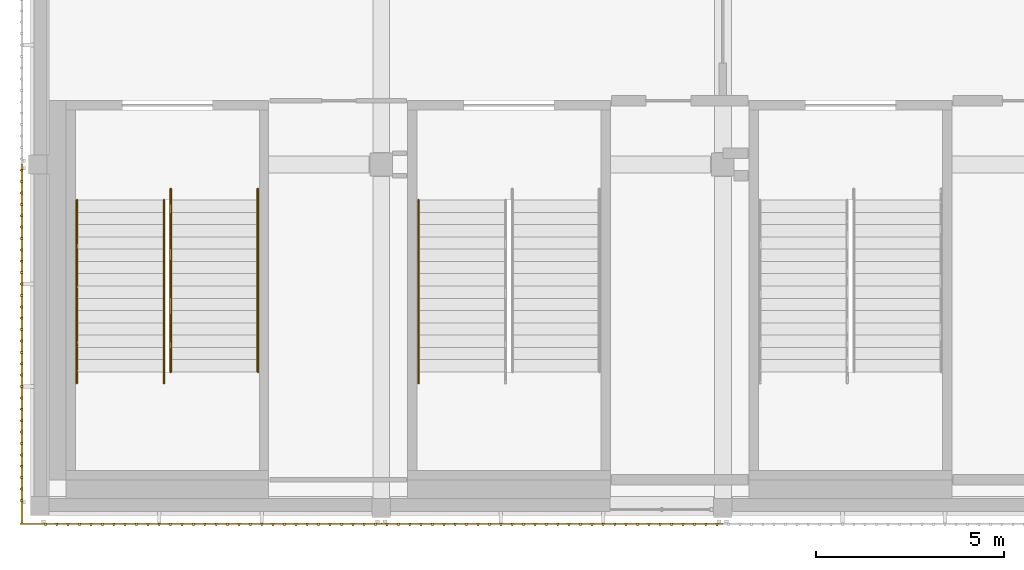
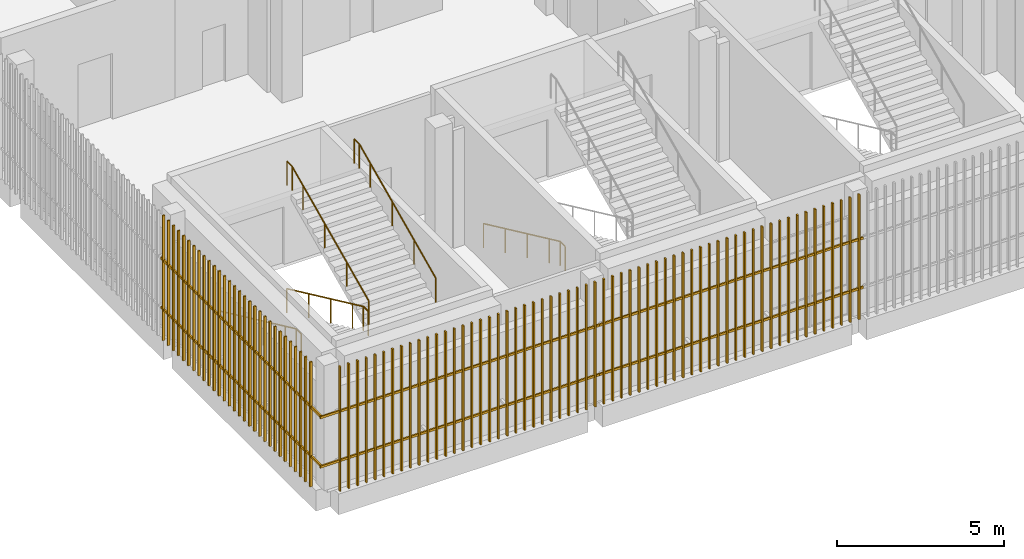
# One storey, part 113 of 139: 5 railings, 3 shading devices.
"""IFC4 building model written with IfcOpenShell, lengths in metres."""

from ifc_helpers import new_model, si_unit, direction, frame, origin, origin_2d, place, context, subcontext, project, spatial, rectangle, circle, extrude, material, type_object, element, save


model = new_model("IFC4")

# Units and contexts
model_context = context("Model", 3, precision=1e-05, world=origin(), true_north=direction((0.0, 1.0)))
body_context = subcontext(model_context, "Body", "Model", "MODEL_VIEW")
ifc_project = project(units=[si_unit("LENGTHUNIT", "METRE"), si_unit("AREAUNIT", "SQUARE_METRE"), si_unit("VOLUMEUNIT", "CUBIC_METRE"), si_unit("PLANEANGLEUNIT", "RADIAN"), si_unit("MASSUNIT", "GRAM", prefix="KILO")], contexts=[model_context])

# Site, building, storey
site_placement = place(None, origin())
site = spatial("IfcSite", under=ifc_project, at=site_placement, CompositionType="ELEMENT")
building_placement = place(site_placement, origin())
building = spatial("IfcBuilding", under=site, at=building_placement, Name="Shirokan Park Arena", CompositionType="ELEMENT")
storey_placement = place(building_placement, frame((0.0, 0.0, 15.469970703125)))
storey = spatial("IfcBuildingStorey", under=building, at=storey_placement, Name="L03", CompositionType="ELEMENT", Elevation=15.469970703125)

# Railings
ifc_material_1 = material(Name="Stainless steel", Category="steel")
railing_type = type_object("IfcRailingType", Name="Stair handrail 900", PredefinedType="HANDRAIL", material=ifc_material_1)
railing_1_placement = place(storey_placement, frame((0.989990234375, 8.14990234375, 0.151611328125)))
element("IfcRailing", 1, at=railing_1_placement, inside=storey, type_object=railing_type, Name="Handrail Exit Stair 1.A L03 to L04", PredefinedType="HANDRAIL", context=body_context, shape_type="SweptSolid", body=[
    extrude(circle(Radius=0.02392578125, at=origin_2d()), frame((0.0, 0.0, 0.8759765625), z_axis=(0.0, -0.906999720516, 0.421131222998), x_axis=(1.0, 0.0, 0.0)), (0.0, 0.0, 1.0), 1.440673828125),
    extrude(circle(Radius=0.02392578125, at=origin_2d()), frame((0.0, -1.306640625, 1.482421875), z_axis=(0.0, -0.907029769225, 0.421066500378), x_axis=(1.0, 0.0, 0.0)), (0.0, 0.0, 1.0), 1.44091796875),
    extrude(circle(Radius=0.02392578125, at=origin_2d()), frame((0.0, -2.613525390625, 2.08935546875), z_axis=(0.0, -0.907029769225, 0.421066500378), x_axis=(1.0, 0.0, 0.0)), (0.0, 0.0, 1.0), 1.44091796875),
    extrude(circle(Radius=0.02392578125, at=origin_2d()), frame((0.0, -3.92041015625, 2.69580078125), z_axis=(0.0, -0.906934982928, 0.421270621741), x_axis=(1.0, 0.0, 0.0)), (0.0, 0.0, 1.0), 0.720458984375),
    extrude(circle(Radius=0.02392578125, at=origin_2d()), frame((0.0, -4.57373046875, 2.99951171875), z_axis=(0.0, -1.0, 0.0), x_axis=(1.0, 0.0, 0.0)), (0.0, 0.0, 1.0), 0.300048828125),
    extrude(circle(Radius=0.02099609375, at=origin_2d()), origin(), (0.0, 0.0, 1.0), 0.851806640625),
    extrude(circle(Radius=0.02099609375, at=origin_2d()), frame((0.0, -1.306640625, 0.606689453125)), (0.0, 0.0, 1.0), 0.851806640625),
    extrude(circle(Radius=0.02099609375, at=origin_2d()), frame((0.0, -2.613525390625, 1.21337890625)), (0.0, 0.0, 1.0), 0.851806640625),
    extrude(circle(Radius=0.02099609375, at=origin_2d()), frame((0.0, -3.92041015625, 1.820068359375)), (0.0, 0.0, 1.0), 0.851806640625),
    extrude(circle(Radius=0.02099609375, at=origin_2d()), frame((0.0, -4.57373046875, 2.12353515625)), (0.0, 0.0, 1.0), 0.851806640625),
    extrude(circle(Radius=0.02099609375, at=origin_2d()), frame((0.0, -4.873779296875, 2.12353515625)), (0.0, 0.0, 1.0), 0.851806640625),
])
railing_2_placement = place(storey_placement, frame((3.31005859375, 8.14990234375, 0.151611328125)))
element("IfcRailing", 2, at=railing_2_placement, inside=storey, type_object=railing_type, Name="Handrail Exit Stair 1.A L03 to L04", PredefinedType="HANDRAIL", context=body_context, shape_type="SweptSolid", body=[
    extrude(circle(Radius=0.02392578125, at=origin_2d()), frame((0.0, 0.0, 0.8759765625), z_axis=(0.0, -0.906999720516, 0.421131222998), x_axis=(1.0, 0.0, 0.0)), (0.0, 0.0, 1.0), 1.440673828125),
    extrude(circle(Radius=0.02392578125, at=origin_2d()), frame((0.0, -1.306640625, 1.482421875), z_axis=(0.0, -0.907029769225, 0.421066500378), x_axis=(1.0, 0.0, 0.0)), (0.0, 0.0, 1.0), 1.44091796875),
    extrude(circle(Radius=0.02392578125, at=origin_2d()), frame((0.0, -2.613525390625, 2.08935546875), z_axis=(0.0, -0.907029769225, 0.421066500378), x_axis=(1.0, 0.0, 0.0)), (0.0, 0.0, 1.0), 1.44091796875),
    extrude(circle(Radius=0.02392578125, at=origin_2d()), frame((0.0, -3.92041015625, 2.69580078125), z_axis=(0.0, -0.906934982928, 0.421270621741), x_axis=(1.0, 0.0, 0.0)), (0.0, 0.0, 1.0), 0.720458984375),
    extrude(circle(Radius=0.02392578125, at=origin_2d()), frame((0.0, -4.57373046875, 2.99951171875), z_axis=(0.0, -1.0, 0.0), x_axis=(1.0, 0.0, 0.0)), (0.0, 0.0, 1.0), 0.300048828125),
    extrude(circle(Radius=0.02099609375, at=origin_2d()), origin(), (0.0, 0.0, 1.0), 0.851806640625),
    extrude(circle(Radius=0.02099609375, at=origin_2d()), frame((0.0, -1.306640625, 0.606689453125)), (0.0, 0.0, 1.0), 0.851806640625),
    extrude(circle(Radius=0.02099609375, at=origin_2d()), frame((0.0, -2.613525390625, 1.21337890625)), (0.0, 0.0, 1.0), 0.851806640625),
    extrude(circle(Radius=0.02099609375, at=origin_2d()), frame((0.0, -3.92041015625, 1.820068359375)), (0.0, 0.0, 1.0), 0.851806640625),
    extrude(circle(Radius=0.02099609375, at=origin_2d()), frame((0.0, -4.57373046875, 2.12353515625)), (0.0, 0.0, 1.0), 0.851806640625),
    extrude(circle(Radius=0.02099609375, at=origin_2d()), frame((0.0, -4.873779296875, 2.12353515625)), (0.0, 0.0, 1.0), 0.851806640625),
])
railing_3_placement = place(storey_placement, frame((3.489990234375, 3.576171875, 2.4267578125)))
element("IfcRailing", 3, at=railing_3_placement, inside=storey, type_object=railing_type, Name="Handrail Exit Stair 1.A L03 to L04", PredefinedType="HANDRAIL", context=body_context, shape_type="SweptSolid", body=[
    extrude(circle(Radius=0.02392578125, at=origin_2d()), frame((0.0, 0.0, 0.8759765625), z_axis=(0.0, 0.907029769225, 0.421066500378), x_axis=(-1.0, 0.0, 0.0)), (0.0, 0.0, 1.0), 1.44091796875),
    extrude(circle(Radius=0.02392578125, at=origin_2d()), frame((0.0, 1.306884765625, 1.482421875), z_axis=(0.0, 0.906999720516, 0.421131222998), x_axis=(-1.0, 0.0, 0.0)), (0.0, 0.0, 1.0), 1.440673828125),
    extrude(circle(Radius=0.02392578125, at=origin_2d()), frame((0.0, 2.613525390625, 2.08935546875), z_axis=(0.0, 0.907094476872, 0.420927083981), x_axis=(-1.0, 0.0, 0.0)), (0.0, 0.0, 1.0), 1.440673828125),
    extrude(circle(Radius=0.02392578125, at=origin_2d()), frame((0.0, 3.92041015625, 2.69580078125), z_axis=(0.0, 0.906934982928, 0.421270621741), x_axis=(-1.0, 0.0, 0.0)), (0.0, 0.0, 1.0), 0.720458984375),
    extrude(circle(Radius=0.02392578125, at=origin_2d()), frame((0.0, 4.57373046875, 2.9990234375), z_axis=(0.0, 1.0, 0.0), x_axis=(-1.0, 0.0, 0.0)), (0.0, 0.0, 1.0), 0.300048828125),
    extrude(circle(Radius=0.02099609375, at=origin_2d()), origin(), (0.0, 0.0, 1.0), 0.851806640625),
    extrude(circle(Radius=0.02099609375, at=origin_2d()), frame((0.0, 1.306884765625, 0.606689453125)), (0.0, 0.0, 1.0), 0.851806640625),
    extrude(circle(Radius=0.02099609375, at=origin_2d()), frame((0.0, 2.613525390625, 1.21337890625)), (0.0, 0.0, 1.0), 0.851806640625),
    extrude(circle(Radius=0.02099609375, at=origin_2d()), frame((0.0, 3.92041015625, 1.81982421875)), (0.0, 0.0, 1.0), 0.851806640625),
    extrude(circle(Radius=0.02099609375, at=origin_2d()), frame((0.0, 4.57373046875, 2.123291015625)), (0.0, 0.0, 1.0), 0.851806640625),
    extrude(circle(Radius=0.02099609375, at=origin_2d()), frame((0.0, 4.873779296875, 2.123291015625)), (0.0, 0.0, 1.0), 0.851806640625),
])
railing_4_placement = place(storey_placement, frame((5.81005859375, 3.576171875, 2.4267578125)))
element("IfcRailing", 4, at=railing_4_placement, inside=storey, type_object=railing_type, Name="Handrail Exit Stair 1.A L03 to L04", PredefinedType="HANDRAIL", context=body_context, shape_type="SweptSolid", body=[
    extrude(circle(Radius=0.02392578125, at=origin_2d()), frame((0.0, 0.0, 0.8759765625), z_axis=(0.0, 0.907029769225, 0.421066500378), x_axis=(-1.0, 0.0, 0.0)), (0.0, 0.0, 1.0), 1.44091796875),
    extrude(circle(Radius=0.02392578125, at=origin_2d()), frame((0.0, 1.306884765625, 1.482421875), z_axis=(0.0, 0.906999720516, 0.421131222998), x_axis=(-1.0, 0.0, 0.0)), (0.0, 0.0, 1.0), 1.440673828125),
    extrude(circle(Radius=0.02392578125, at=origin_2d()), frame((0.0, 2.613525390625, 2.08935546875), z_axis=(0.0, 0.907094476872, 0.420927083981), x_axis=(-1.0, 0.0, 0.0)), (0.0, 0.0, 1.0), 1.440673828125),
    extrude(circle(Radius=0.02392578125, at=origin_2d()), frame((0.0, 3.92041015625, 2.69580078125), z_axis=(0.0, 0.906934982928, 0.421270621741), x_axis=(-1.0, 0.0, 0.0)), (0.0, 0.0, 1.0), 0.720458984375),
    extrude(circle(Radius=0.02392578125, at=origin_2d()), frame((0.0, 4.57373046875, 2.9990234375), z_axis=(0.0, 1.0, 0.0), x_axis=(-1.0, 0.0, 0.0)), (0.0, 0.0, 1.0), 0.300048828125),
    extrude(circle(Radius=0.02099609375, at=origin_2d()), origin(), (0.0, 0.0, 1.0), 0.851806640625),
    extrude(circle(Radius=0.02099609375, at=origin_2d()), frame((0.0, 1.306884765625, 0.606689453125)), (0.0, 0.0, 1.0), 0.851806640625),
    extrude(circle(Radius=0.02099609375, at=origin_2d()), frame((0.0, 2.613525390625, 1.21337890625)), (0.0, 0.0, 1.0), 0.851806640625),
    extrude(circle(Radius=0.02099609375, at=origin_2d()), frame((0.0, 3.92041015625, 1.81982421875)), (0.0, 0.0, 1.0), 0.851806640625),
    extrude(circle(Radius=0.02099609375, at=origin_2d()), frame((0.0, 4.57373046875, 2.123291015625)), (0.0, 0.0, 1.0), 0.851806640625),
    extrude(circle(Radius=0.02099609375, at=origin_2d()), frame((0.0, 4.873779296875, 2.123291015625)), (0.0, 0.0, 1.0), 0.851806640625),
])
railing_5_placement = place(storey_placement, frame((10.090087890625, 8.14990234375, 0.151611328125)))
element("IfcRailing", 5, at=railing_5_placement, inside=storey, type_object=railing_type, Name="Handrail Exit Stair 1.B L03 to L04", PredefinedType="HANDRAIL", context=body_context, shape_type="SweptSolid", body=[
    extrude(circle(Radius=0.02392578125, at=origin_2d()), frame((0.0, 0.0, 0.8759765625), z_axis=(0.0, -0.906999720516, 0.421131222998), x_axis=(1.0, 0.0, 0.0)), (0.0, 0.0, 1.0), 1.440673828125),
    extrude(circle(Radius=0.02392578125, at=origin_2d()), frame((0.0, -1.306640625, 1.482421875), z_axis=(0.0, -0.907029769225, 0.421066500378), x_axis=(1.0, 0.0, 0.0)), (0.0, 0.0, 1.0), 1.44091796875),
    extrude(circle(Radius=0.02392578125, at=origin_2d()), frame((0.0, -2.613525390625, 2.08935546875), z_axis=(0.0, -0.907029769225, 0.421066500378), x_axis=(1.0, 0.0, 0.0)), (0.0, 0.0, 1.0), 1.44091796875),
    extrude(circle(Radius=0.02392578125, at=origin_2d()), frame((0.0, -3.92041015625, 2.69580078125), z_axis=(0.0, -0.906934982928, 0.421270621741), x_axis=(1.0, 0.0, 0.0)), (0.0, 0.0, 1.0), 0.720458984375),
    extrude(circle(Radius=0.02392578125, at=origin_2d()), frame((0.0, -4.57373046875, 2.99951171875), z_axis=(0.0, -1.0, 0.0), x_axis=(1.0, 0.0, 0.0)), (0.0, 0.0, 1.0), 0.300048828125),
    extrude(circle(Radius=0.02099609375, at=origin_2d()), origin(), (0.0, 0.0, 1.0), 0.851806640625),
    extrude(circle(Radius=0.02099609375, at=origin_2d()), frame((0.0, -1.306640625, 0.606689453125)), (0.0, 0.0, 1.0), 0.851806640625),
    extrude(circle(Radius=0.02099609375, at=origin_2d()), frame((0.0, -2.613525390625, 1.21337890625)), (0.0, 0.0, 1.0), 0.851806640625),
    extrude(circle(Radius=0.02099609375, at=origin_2d()), frame((0.0, -3.92041015625, 1.820068359375)), (0.0, 0.0, 1.0), 0.851806640625),
    extrude(circle(Radius=0.02099609375, at=origin_2d()), frame((0.0, -4.57373046875, 2.12353515625)), (0.0, 0.0, 1.0), 0.851806640625),
    extrude(circle(Radius=0.02099609375, at=origin_2d()), frame((0.0, -4.873779296875, 2.12353515625)), (0.0, 0.0, 1.0), 0.851806640625),
])

# Shading devices
ifc_material_2 = material(Name="Timber louvre veil (cedar)", Category="wood")
shading_device_type = type_object("IfcShadingDeviceType", Name="Timber louvre veil panel", PredefinedType="JALOUSIE", material=ifc_material_2)
shading_device_1_placement = place(storey_placement, origin())
element("IfcShadingDevice", 6, at=shading_device_1_placement, inside=storey, type_object=shading_device_type, Name="Timber louvre veil south bay 1 L03", PredefinedType="JALOUSIE", context=body_context, shape_type="SweptSolid", body=[
    extrude(rectangle(XDim=0.050048828125, YDim=0.080078125, at=origin_2d()), frame((0.151611328125, -0.485107421875, 0.0), z_axis=(0.0, 0.0, 1.0), x_axis=(1.0, 0.0, 0.0)), (0.0, 0.0, 1.0), 4.550048828125),
    extrude(rectangle(XDim=0.050048828125, YDim=0.080078125, at=origin_2d()), frame((0.455078125, -0.485107421875, 0.0), z_axis=(0.0, 0.0, 1.0), x_axis=(1.0, 0.0, 0.0)), (0.0, 0.0, 1.0), 4.550048828125),
    extrude(rectangle(XDim=0.050048828125, YDim=0.080078125, at=origin_2d()), frame((0.75830078125, -0.485107421875, 0.0), z_axis=(0.0, 0.0, 1.0), x_axis=(1.0, 0.0, 0.0)), (0.0, 0.0, 1.0), 4.550048828125),
    extrude(rectangle(XDim=0.050048828125, YDim=0.080078125, at=origin_2d()), frame((1.061767578125, -0.485107421875, 0.0), z_axis=(0.0, 0.0, 1.0), x_axis=(1.0, 0.0, 0.0)), (0.0, 0.0, 1.0), 4.550048828125),
    extrude(rectangle(XDim=0.050048828125, YDim=0.080078125, at=origin_2d()), frame((1.364990234375, -0.485107421875, 0.0), z_axis=(0.0, 0.0, 1.0), x_axis=(1.0, 0.0, 0.0)), (0.0, 0.0, 1.0), 4.550048828125),
    extrude(rectangle(XDim=0.050048828125, YDim=0.080078125, at=origin_2d()), frame((1.668212890625, -0.485107421875, 0.0), z_axis=(0.0, 0.0, 1.0), x_axis=(1.0, 0.0, 0.0)), (0.0, 0.0, 1.0), 4.550048828125),
    extrude(rectangle(XDim=0.050048828125, YDim=0.080078125, at=origin_2d()), frame((1.9716796875, -0.485107421875, 0.0), z_axis=(0.0, 0.0, 1.0), x_axis=(1.0, 0.0, 0.0)), (0.0, 0.0, 1.0), 4.550048828125),
    extrude(rectangle(XDim=0.050048828125, YDim=0.080078125, at=origin_2d()), frame((2.27490234375, -0.485107421875, 0.0), z_axis=(0.0, 0.0, 1.0), x_axis=(1.0, 0.0, 0.0)), (0.0, 0.0, 1.0), 4.550048828125),
    extrude(rectangle(XDim=0.050048828125, YDim=0.080078125, at=origin_2d()), frame((2.578369140625, -0.485107421875, 0.0), z_axis=(0.0, 0.0, 1.0), x_axis=(1.0, 0.0, 0.0)), (0.0, 0.0, 1.0), 4.550048828125),
    extrude(rectangle(XDim=0.050048828125, YDim=0.080078125, at=origin_2d()), frame((2.881591796875, -0.485107421875, 0.0), z_axis=(0.0, 0.0, 1.0), x_axis=(1.0, 0.0, 0.0)), (0.0, 0.0, 1.0), 4.550048828125),
    extrude(rectangle(XDim=0.050048828125, YDim=0.080078125, at=origin_2d()), frame((3.18505859375, -0.485107421875, 0.0), z_axis=(0.0, 0.0, 1.0), x_axis=(1.0, 0.0, 0.0)), (0.0, 0.0, 1.0), 4.550048828125),
    extrude(rectangle(XDim=0.050048828125, YDim=0.080078125, at=origin_2d()), frame((3.48828125, -0.485107421875, 0.0), z_axis=(0.0, 0.0, 1.0), x_axis=(1.0, 0.0, 0.0)), (0.0, 0.0, 1.0), 4.550048828125),
    extrude(rectangle(XDim=0.050048828125, YDim=0.080078125, at=origin_2d()), frame((3.791748046875, -0.485107421875, 0.0), z_axis=(0.0, 0.0, 1.0), x_axis=(1.0, 0.0, 0.0)), (0.0, 0.0, 1.0), 4.550048828125),
    extrude(rectangle(XDim=0.050048828125, YDim=0.080078125, at=origin_2d()), frame((4.094970703125, -0.485107421875, 0.0), z_axis=(0.0, 0.0, 1.0), x_axis=(1.0, 0.0, 0.0)), (0.0, 0.0, 1.0), 4.550048828125),
    extrude(rectangle(XDim=0.050048828125, YDim=0.080078125, at=origin_2d()), frame((4.3984375, -0.485107421875, 0.0), z_axis=(0.0, 0.0, 1.0), x_axis=(1.0, 0.0, 0.0)), (0.0, 0.0, 1.0), 4.550048828125),
    extrude(rectangle(XDim=0.050048828125, YDim=0.080078125, at=origin_2d()), frame((4.70166015625, -0.485107421875, 0.0), z_axis=(0.0, 0.0, 1.0), x_axis=(1.0, 0.0, 0.0)), (0.0, 0.0, 1.0), 4.550048828125),
    extrude(rectangle(XDim=0.050048828125, YDim=0.080078125, at=origin_2d()), frame((5.0048828125, -0.485107421875, 0.0), z_axis=(0.0, 0.0, 1.0), x_axis=(1.0, 0.0, 0.0)), (0.0, 0.0, 1.0), 4.550048828125),
    extrude(rectangle(XDim=0.050048828125, YDim=0.080078125, at=origin_2d()), frame((5.308349609375, -0.485107421875, 0.0), z_axis=(0.0, 0.0, 1.0), x_axis=(1.0, 0.0, 0.0)), (0.0, 0.0, 1.0), 4.550048828125),
    extrude(rectangle(XDim=0.050048828125, YDim=0.080078125, at=origin_2d()), frame((5.611572265625, -0.485107421875, 0.0), z_axis=(0.0, 0.0, 1.0), x_axis=(1.0, 0.0, 0.0)), (0.0, 0.0, 1.0), 4.550048828125),
    extrude(rectangle(XDim=0.050048828125, YDim=0.080078125, at=origin_2d()), frame((5.9150390625, -0.485107421875, 0.0), z_axis=(0.0, 0.0, 1.0), x_axis=(1.0, 0.0, 0.0)), (0.0, 0.0, 1.0), 4.550048828125),
    extrude(rectangle(XDim=0.050048828125, YDim=0.080078125, at=origin_2d()), frame((6.21826171875, -0.485107421875, 0.0), z_axis=(0.0, 0.0, 1.0), x_axis=(1.0, 0.0, 0.0)), (0.0, 0.0, 1.0), 4.550048828125),
    extrude(rectangle(XDim=0.050048828125, YDim=0.080078125, at=origin_2d()), frame((6.521728515625, -0.485107421875, 0.0), z_axis=(0.0, 0.0, 1.0), x_axis=(1.0, 0.0, 0.0)), (0.0, 0.0, 1.0), 4.550048828125),
    extrude(rectangle(XDim=0.050048828125, YDim=0.080078125, at=origin_2d()), frame((6.824951171875, -0.485107421875, 0.0), z_axis=(0.0, 0.0, 1.0), x_axis=(1.0, 0.0, 0.0)), (0.0, 0.0, 1.0), 4.550048828125),
    extrude(rectangle(XDim=0.050048828125, YDim=0.080078125, at=origin_2d()), frame((7.12841796875, -0.485107421875, 0.0), z_axis=(0.0, 0.0, 1.0), x_axis=(1.0, 0.0, 0.0)), (0.0, 0.0, 1.0), 4.550048828125),
    extrude(rectangle(XDim=0.050048828125, YDim=0.080078125, at=origin_2d()), frame((7.431640625, -0.485107421875, 0.0), z_axis=(0.0, 0.0, 1.0), x_axis=(1.0, 0.0, 0.0)), (0.0, 0.0, 1.0), 4.550048828125),
    extrude(rectangle(XDim=0.050048828125, YDim=0.080078125, at=origin_2d()), frame((7.735107421875, -0.485107421875, 0.0), z_axis=(0.0, 0.0, 1.0), x_axis=(1.0, 0.0, 0.0)), (0.0, 0.0, 1.0), 4.550048828125),
    extrude(rectangle(XDim=0.050048828125, YDim=0.080078125, at=origin_2d()), frame((8.038330078125, -0.485107421875, 0.0), z_axis=(0.0, 0.0, 1.0), x_axis=(1.0, 0.0, 0.0)), (0.0, 0.0, 1.0), 4.550048828125),
    extrude(rectangle(XDim=0.050048828125, YDim=0.080078125, at=origin_2d()), frame((8.341552734375, -0.485107421875, 0.0), z_axis=(0.0, 0.0, 1.0), x_axis=(1.0, 0.0, 0.0)), (0.0, 0.0, 1.0), 4.550048828125),
    extrude(rectangle(XDim=0.050048828125, YDim=0.080078125, at=origin_2d()), frame((8.64501953125, -0.485107421875, 0.0), z_axis=(0.0, 0.0, 1.0), x_axis=(1.0, 0.0, 0.0)), (0.0, 0.0, 1.0), 4.550048828125),
    extrude(rectangle(XDim=0.050048828125, YDim=0.080078125, at=origin_2d()), frame((8.9482421875, -0.485107421875, 0.0), z_axis=(0.0, 0.0, 1.0), x_axis=(1.0, 0.0, 0.0)), (0.0, 0.0, 1.0), 4.550048828125),
    extrude(rectangle(XDim=9.625, YDim=0.050048828125, at=origin_2d()), frame((4.28759765625, -0.469970703125, 1.06005859375), z_axis=(0.0, 0.0, 1.0), x_axis=(1.0, 0.0, 0.0)), (0.0, 0.0, 1.0), 0.080078125),
    extrude(rectangle(XDim=9.625, YDim=0.050048828125, at=origin_2d()), frame((4.28759765625, -0.469970703125, 2.860107421875), z_axis=(0.0, 0.0, 1.0), x_axis=(1.0, 0.0, 0.0)), (0.0, 0.0, 1.0), 0.080078125),
])
shading_device_2_placement = place(storey_placement, origin())
element("IfcShadingDevice", 7, at=shading_device_2_placement, inside=storey, type_object=shading_device_type, Name="Timber louvre veil south bay 2 L03", PredefinedType="JALOUSIE", context=body_context, shape_type="SweptSolid", body=[
    extrude(rectangle(XDim=0.050048828125, YDim=0.080078125, at=origin_2d()), frame((9.251708984375, -0.485107421875, 0.0), z_axis=(0.0, 0.0, 1.0), x_axis=(1.0, 0.0, 0.0)), (0.0, 0.0, 1.0), 4.550048828125),
    extrude(rectangle(XDim=0.050048828125, YDim=0.080078125, at=origin_2d()), frame((9.554931640625, -0.485107421875, 0.0), z_axis=(0.0, 0.0, 1.0), x_axis=(1.0, 0.0, 0.0)), (0.0, 0.0, 1.0), 4.550048828125),
    extrude(rectangle(XDim=0.050048828125, YDim=0.080078125, at=origin_2d()), frame((9.8583984375, -0.485107421875, 0.0), z_axis=(0.0, 0.0, 1.0), x_axis=(1.0, 0.0, 0.0)), (0.0, 0.0, 1.0), 4.550048828125),
    extrude(rectangle(XDim=0.050048828125, YDim=0.080078125, at=origin_2d()), frame((10.16162109375, -0.485107421875, 0.0), z_axis=(0.0, 0.0, 1.0), x_axis=(1.0, 0.0, 0.0)), (0.0, 0.0, 1.0), 4.550048828125),
    extrude(rectangle(XDim=0.050048828125, YDim=0.080078125, at=origin_2d()), frame((10.465087890625, -0.485107421875, 0.0), z_axis=(0.0, 0.0, 1.0), x_axis=(1.0, 0.0, 0.0)), (0.0, 0.0, 1.0), 4.550048828125),
    extrude(rectangle(XDim=0.050048828125, YDim=0.080078125, at=origin_2d()), frame((10.768310546875, -0.485107421875, 0.0), z_axis=(0.0, 0.0, 1.0), x_axis=(1.0, 0.0, 0.0)), (0.0, 0.0, 1.0), 4.550048828125),
    extrude(rectangle(XDim=0.050048828125, YDim=0.080078125, at=origin_2d()), frame((11.07177734375, -0.485107421875, 0.0), z_axis=(0.0, 0.0, 1.0), x_axis=(1.0, 0.0, 0.0)), (0.0, 0.0, 1.0), 4.550048828125),
    extrude(rectangle(XDim=0.050048828125, YDim=0.080078125, at=origin_2d()), frame((11.375, -0.485107421875, 0.0), z_axis=(0.0, 0.0, 1.0), x_axis=(1.0, 0.0, 0.0)), (0.0, 0.0, 1.0), 4.550048828125),
    extrude(rectangle(XDim=0.050048828125, YDim=0.080078125, at=origin_2d()), frame((11.67822265625, -0.485107421875, 0.0), z_axis=(0.0, 0.0, 1.0), x_axis=(1.0, 0.0, 0.0)), (0.0, 0.0, 1.0), 4.550048828125),
    extrude(rectangle(XDim=0.050048828125, YDim=0.080078125, at=origin_2d()), frame((11.981689453125, -0.485107421875, 0.0), z_axis=(0.0, 0.0, 1.0), x_axis=(1.0, 0.0, 0.0)), (0.0, 0.0, 1.0), 4.550048828125),
    extrude(rectangle(XDim=0.050048828125, YDim=0.080078125, at=origin_2d()), frame((12.284912109375, -0.485107421875, 0.0), z_axis=(0.0, 0.0, 1.0), x_axis=(1.0, 0.0, 0.0)), (0.0, 0.0, 1.0), 4.550048828125),
    extrude(rectangle(XDim=0.050048828125, YDim=0.080078125, at=origin_2d()), frame((12.58837890625, -0.485107421875, 0.0), z_axis=(0.0, 0.0, 1.0), x_axis=(1.0, 0.0, 0.0)), (0.0, 0.0, 1.0), 4.550048828125),
    extrude(rectangle(XDim=0.050048828125, YDim=0.080078125, at=origin_2d()), frame((12.8916015625, -0.485107421875, 0.0), z_axis=(0.0, 0.0, 1.0), x_axis=(1.0, 0.0, 0.0)), (0.0, 0.0, 1.0), 4.550048828125),
    extrude(rectangle(XDim=0.050048828125, YDim=0.080078125, at=origin_2d()), frame((13.195068359375, -0.485107421875, 0.0), z_axis=(0.0, 0.0, 1.0), x_axis=(1.0, 0.0, 0.0)), (0.0, 0.0, 1.0), 4.550048828125),
    extrude(rectangle(XDim=0.050048828125, YDim=0.080078125, at=origin_2d()), frame((13.498291015625, -0.485107421875, 0.0), z_axis=(0.0, 0.0, 1.0), x_axis=(1.0, 0.0, 0.0)), (0.0, 0.0, 1.0), 4.550048828125),
    extrude(rectangle(XDim=0.050048828125, YDim=0.080078125, at=origin_2d()), frame((13.8017578125, -0.485107421875, 0.0), z_axis=(0.0, 0.0, 1.0), x_axis=(1.0, 0.0, 0.0)), (0.0, 0.0, 1.0), 4.550048828125),
    extrude(rectangle(XDim=0.050048828125, YDim=0.080078125, at=origin_2d()), frame((14.10498046875, -0.485107421875, 0.0), z_axis=(0.0, 0.0, 1.0), x_axis=(1.0, 0.0, 0.0)), (0.0, 0.0, 1.0), 4.550048828125),
    extrude(rectangle(XDim=0.050048828125, YDim=0.080078125, at=origin_2d()), frame((14.408447265625, -0.485107421875, 0.0), z_axis=(0.0, 0.0, 1.0), x_axis=(1.0, 0.0, 0.0)), (0.0, 0.0, 1.0), 4.550048828125),
    extrude(rectangle(XDim=0.050048828125, YDim=0.080078125, at=origin_2d()), frame((14.711669921875, -0.485107421875, 0.0), z_axis=(0.0, 0.0, 1.0), x_axis=(1.0, 0.0, 0.0)), (0.0, 0.0, 1.0), 4.550048828125),
    extrude(rectangle(XDim=0.050048828125, YDim=0.080078125, at=origin_2d()), frame((15.014892578125, -0.485107421875, 0.0), z_axis=(0.0, 0.0, 1.0), x_axis=(1.0, 0.0, 0.0)), (0.0, 0.0, 1.0), 4.550048828125),
    extrude(rectangle(XDim=0.050048828125, YDim=0.080078125, at=origin_2d()), frame((15.318359375, -0.485107421875, 0.0), z_axis=(0.0, 0.0, 1.0), x_axis=(1.0, 0.0, 0.0)), (0.0, 0.0, 1.0), 4.550048828125),
    extrude(rectangle(XDim=0.050048828125, YDim=0.080078125, at=origin_2d()), frame((15.62158203125, -0.485107421875, 0.0), z_axis=(0.0, 0.0, 1.0), x_axis=(1.0, 0.0, 0.0)), (0.0, 0.0, 1.0), 4.550048828125),
    extrude(rectangle(XDim=0.050048828125, YDim=0.080078125, at=origin_2d()), frame((15.925048828125, -0.485107421875, 0.0), z_axis=(0.0, 0.0, 1.0), x_axis=(1.0, 0.0, 0.0)), (0.0, 0.0, 1.0), 4.550048828125),
    extrude(rectangle(XDim=0.050048828125, YDim=0.080078125, at=origin_2d()), frame((16.228271484375, -0.485107421875, 0.0), z_axis=(0.0, 0.0, 1.0), x_axis=(1.0, 0.0, 0.0)), (0.0, 0.0, 1.0), 4.550048828125),
    extrude(rectangle(XDim=0.050048828125, YDim=0.080078125, at=origin_2d()), frame((16.53173828125, -0.485107421875, 0.0), z_axis=(0.0, 0.0, 1.0), x_axis=(1.0, 0.0, 0.0)), (0.0, 0.0, 1.0), 4.550048828125),
    extrude(rectangle(XDim=0.050048828125, YDim=0.080078125, at=origin_2d()), frame((16.8349609375, -0.485107421875, 0.0), z_axis=(0.0, 0.0, 1.0), x_axis=(1.0, 0.0, 0.0)), (0.0, 0.0, 1.0), 4.550048828125),
    extrude(rectangle(XDim=0.050048828125, YDim=0.080078125, at=origin_2d()), frame((17.138427734375, -0.485107421875, 0.0), z_axis=(0.0, 0.0, 1.0), x_axis=(1.0, 0.0, 0.0)), (0.0, 0.0, 1.0), 4.550048828125),
    extrude(rectangle(XDim=0.050048828125, YDim=0.080078125, at=origin_2d()), frame((17.441650390625, -0.485107421875, 0.0), z_axis=(0.0, 0.0, 1.0), x_axis=(1.0, 0.0, 0.0)), (0.0, 0.0, 1.0), 4.550048828125),
    extrude(rectangle(XDim=0.050048828125, YDim=0.080078125, at=origin_2d()), frame((17.7451171875, -0.485107421875, 0.0), z_axis=(0.0, 0.0, 1.0), x_axis=(1.0, 0.0, 0.0)), (0.0, 0.0, 1.0), 4.550048828125),
    extrude(rectangle(XDim=0.050048828125, YDim=0.080078125, at=origin_2d()), frame((18.04833984375, -0.485107421875, 0.0), z_axis=(0.0, 0.0, 1.0), x_axis=(1.0, 0.0, 0.0)), (0.0, 0.0, 1.0), 4.550048828125),
    extrude(rectangle(XDim=9.10009765625, YDim=0.050048828125, at=origin_2d()), frame((13.64990234375, -0.469970703125, 1.06005859375), z_axis=(0.0, 0.0, 1.0), x_axis=(1.0, 0.0, 0.0)), (0.0, 0.0, 1.0), 0.080078125),
    extrude(rectangle(XDim=9.10009765625, YDim=0.050048828125, at=origin_2d()), frame((13.64990234375, -0.469970703125, 2.860107421875), z_axis=(0.0, 0.0, 1.0), x_axis=(1.0, 0.0, 0.0)), (0.0, 0.0, 1.0), 0.080078125),
])
shading_device_3_placement = place(storey_placement, origin())
element("IfcShadingDevice", 8, at=shading_device_3_placement, inside=storey, type_object=shading_device_type, Name="Timber louvre veil west bay 12 L03", PredefinedType="JALOUSIE", context=body_context, shape_type="SweptSolid", body=[
    extrude(rectangle(XDim=0.050048828125, YDim=0.080078125, at=origin_2d()), frame((-0.485107421875, 8.9482421875, 0.0), z_axis=(0.0, 0.0, 1.0), x_axis=(0.0, -1.0, 0.0)), (0.0, 0.0, 1.0), 4.550048828125),
    extrude(rectangle(XDim=0.050048828125, YDim=0.080078125, at=origin_2d()), frame((-0.485107421875, 8.64501953125, 0.0), z_axis=(0.0, 0.0, 1.0), x_axis=(0.0, -1.0, 0.0)), (0.0, 0.0, 1.0), 4.550048828125),
    extrude(rectangle(XDim=0.050048828125, YDim=0.080078125, at=origin_2d()), frame((-0.485107421875, 8.341552734375, 0.0), z_axis=(0.0, 0.0, 1.0), x_axis=(0.0, -1.0, 0.0)), (0.0, 0.0, 1.0), 4.550048828125),
    extrude(rectangle(XDim=0.050048828125, YDim=0.080078125, at=origin_2d()), frame((-0.485107421875, 8.038330078125, 0.0), z_axis=(0.0, 0.0, 1.0), x_axis=(0.0, -1.0, 0.0)), (0.0, 0.0, 1.0), 4.550048828125),
    extrude(rectangle(XDim=0.050048828125, YDim=0.080078125, at=origin_2d()), frame((-0.485107421875, 7.735107421875, 0.0), z_axis=(0.0, 0.0, 1.0), x_axis=(0.0, -1.0, 0.0)), (0.0, 0.0, 1.0), 4.550048828125),
    extrude(rectangle(XDim=0.050048828125, YDim=0.080078125, at=origin_2d()), frame((-0.485107421875, 7.431640625, 0.0), z_axis=(0.0, 0.0, 1.0), x_axis=(0.0, -1.0, 0.0)), (0.0, 0.0, 1.0), 4.550048828125),
    extrude(rectangle(XDim=0.050048828125, YDim=0.080078125, at=origin_2d()), frame((-0.485107421875, 7.12841796875, 0.0), z_axis=(0.0, 0.0, 1.0), x_axis=(0.0, -1.0, 0.0)), (0.0, 0.0, 1.0), 4.550048828125),
    extrude(rectangle(XDim=0.050048828125, YDim=0.080078125, at=origin_2d()), frame((-0.485107421875, 6.824951171875, 0.0), z_axis=(0.0, 0.0, 1.0), x_axis=(0.0, -1.0, 0.0)), (0.0, 0.0, 1.0), 4.550048828125),
    extrude(rectangle(XDim=0.050048828125, YDim=0.080078125, at=origin_2d()), frame((-0.485107421875, 6.521728515625, 0.0), z_axis=(0.0, 0.0, 1.0), x_axis=(0.0, -1.0, 0.0)), (0.0, 0.0, 1.0), 4.550048828125),
    extrude(rectangle(XDim=0.050048828125, YDim=0.080078125, at=origin_2d()), frame((-0.485107421875, 6.21826171875, 0.0), z_axis=(0.0, 0.0, 1.0), x_axis=(0.0, -1.0, 0.0)), (0.0, 0.0, 1.0), 4.550048828125),
    extrude(rectangle(XDim=0.050048828125, YDim=0.080078125, at=origin_2d()), frame((-0.485107421875, 5.9150390625, 0.0), z_axis=(0.0, 0.0, 1.0), x_axis=(0.0, -1.0, 0.0)), (0.0, 0.0, 1.0), 4.550048828125),
    extrude(rectangle(XDim=0.050048828125, YDim=0.080078125, at=origin_2d()), frame((-0.485107421875, 5.611572265625, 0.0), z_axis=(0.0, 0.0, 1.0), x_axis=(0.0, -1.0, 0.0)), (0.0, 0.0, 1.0), 4.550048828125),
    extrude(rectangle(XDim=0.050048828125, YDim=0.080078125, at=origin_2d()), frame((-0.485107421875, 5.308349609375, 0.0), z_axis=(0.0, 0.0, 1.0), x_axis=(0.0, -1.0, 0.0)), (0.0, 0.0, 1.0), 4.550048828125),
    extrude(rectangle(XDim=0.050048828125, YDim=0.080078125, at=origin_2d()), frame((-0.485107421875, 5.0048828125, 0.0), z_axis=(0.0, 0.0, 1.0), x_axis=(0.0, -1.0, 0.0)), (0.0, 0.0, 1.0), 4.550048828125),
    extrude(rectangle(XDim=0.050048828125, YDim=0.080078125, at=origin_2d()), frame((-0.485107421875, 4.70166015625, 0.0), z_axis=(0.0, 0.0, 1.0), x_axis=(0.0, -1.0, 0.0)), (0.0, 0.0, 1.0), 4.550048828125),
    extrude(rectangle(XDim=0.050048828125, YDim=0.080078125, at=origin_2d()), frame((-0.485107421875, 4.3984375, 0.0), z_axis=(0.0, 0.0, 1.0), x_axis=(0.0, -1.0, 0.0)), (0.0, 0.0, 1.0), 4.550048828125),
    extrude(rectangle(XDim=0.050048828125, YDim=0.080078125, at=origin_2d()), frame((-0.485107421875, 4.094970703125, 0.0), z_axis=(0.0, 0.0, 1.0), x_axis=(0.0, -1.0, 0.0)), (0.0, 0.0, 1.0), 4.550048828125),
    extrude(rectangle(XDim=0.050048828125, YDim=0.080078125, at=origin_2d()), frame((-0.485107421875, 3.791748046875, 0.0), z_axis=(0.0, 0.0, 1.0), x_axis=(0.0, -1.0, 0.0)), (0.0, 0.0, 1.0), 4.550048828125),
    extrude(rectangle(XDim=0.050048828125, YDim=0.080078125, at=origin_2d()), frame((-0.485107421875, 3.48828125, 0.0), z_axis=(0.0, 0.0, 1.0), x_axis=(0.0, -1.0, 0.0)), (0.0, 0.0, 1.0), 4.550048828125),
    extrude(rectangle(XDim=0.050048828125, YDim=0.080078125, at=origin_2d()), frame((-0.485107421875, 3.18505859375, 0.0), z_axis=(0.0, 0.0, 1.0), x_axis=(0.0, -1.0, 0.0)), (0.0, 0.0, 1.0), 4.550048828125),
    extrude(rectangle(XDim=0.050048828125, YDim=0.080078125, at=origin_2d()), frame((-0.485107421875, 2.881591796875, 0.0), z_axis=(0.0, 0.0, 1.0), x_axis=(0.0, -1.0, 0.0)), (0.0, 0.0, 1.0), 4.550048828125),
    extrude(rectangle(XDim=0.050048828125, YDim=0.080078125, at=origin_2d()), frame((-0.485107421875, 2.578369140625, 0.0), z_axis=(0.0, 0.0, 1.0), x_axis=(0.0, -1.0, 0.0)), (0.0, 0.0, 1.0), 4.550048828125),
    extrude(rectangle(XDim=0.050048828125, YDim=0.080078125, at=origin_2d()), frame((-0.485107421875, 2.27490234375, 0.0), z_axis=(0.0, 0.0, 1.0), x_axis=(0.0, -1.0, 0.0)), (0.0, 0.0, 1.0), 4.550048828125),
    extrude(rectangle(XDim=0.050048828125, YDim=0.080078125, at=origin_2d()), frame((-0.485107421875, 1.9716796875, 0.0), z_axis=(0.0, 0.0, 1.0), x_axis=(0.0, -1.0, 0.0)), (0.0, 0.0, 1.0), 4.550048828125),
    extrude(rectangle(XDim=0.050048828125, YDim=0.080078125, at=origin_2d()), frame((-0.485107421875, 1.668212890625, 0.0), z_axis=(0.0, 0.0, 1.0), x_axis=(0.0, -1.0, 0.0)), (0.0, 0.0, 1.0), 4.550048828125),
    extrude(rectangle(XDim=0.050048828125, YDim=0.080078125, at=origin_2d()), frame((-0.485107421875, 1.364990234375, 0.0), z_axis=(0.0, 0.0, 1.0), x_axis=(0.0, -1.0, 0.0)), (0.0, 0.0, 1.0), 4.550048828125),
    extrude(rectangle(XDim=0.050048828125, YDim=0.080078125, at=origin_2d()), frame((-0.485107421875, 1.061767578125, 0.0), z_axis=(0.0, 0.0, 1.0), x_axis=(0.0, -1.0, 0.0)), (0.0, 0.0, 1.0), 4.550048828125),
    extrude(rectangle(XDim=0.050048828125, YDim=0.080078125, at=origin_2d()), frame((-0.485107421875, 0.75830078125, 0.0), z_axis=(0.0, 0.0, 1.0), x_axis=(0.0, -1.0, 0.0)), (0.0, 0.0, 1.0), 4.550048828125),
    extrude(rectangle(XDim=0.050048828125, YDim=0.080078125, at=origin_2d()), frame((-0.485107421875, 0.455078125, 0.0), z_axis=(0.0, 0.0, 1.0), x_axis=(0.0, -1.0, 0.0)), (0.0, 0.0, 1.0), 4.550048828125),
    extrude(rectangle(XDim=0.050048828125, YDim=0.080078125, at=origin_2d()), frame((-0.485107421875, 0.151611328125, 0.0), z_axis=(0.0, 0.0, 1.0), x_axis=(0.0, -1.0, 0.0)), (0.0, 0.0, 1.0), 4.550048828125),
    extrude(rectangle(XDim=9.544921875, YDim=0.050048828125, at=origin_2d()), frame((-0.469970703125, 4.327392578125, 1.06005859375), z_axis=(0.0, 0.0, 1.0), x_axis=(0.0, -1.0, 0.0)), (0.0, 0.0, 1.0), 0.080078125),
    extrude(rectangle(XDim=9.544921875, YDim=0.050048828125, at=origin_2d()), frame((-0.469970703125, 4.327392578125, 2.860107421875), z_axis=(0.0, 0.0, 1.0), x_axis=(0.0, -1.0, 0.0)), (0.0, 0.0, 1.0), 0.080078125),
])

save(model, "model.ifc")
